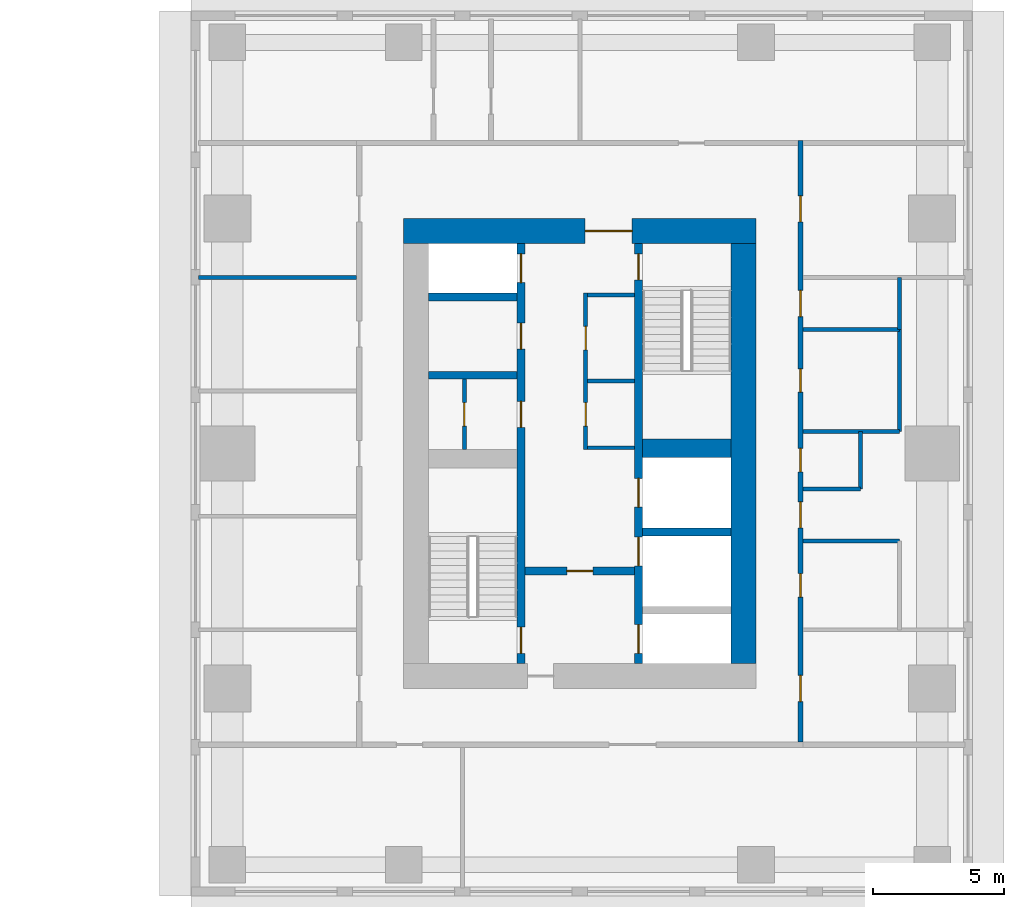
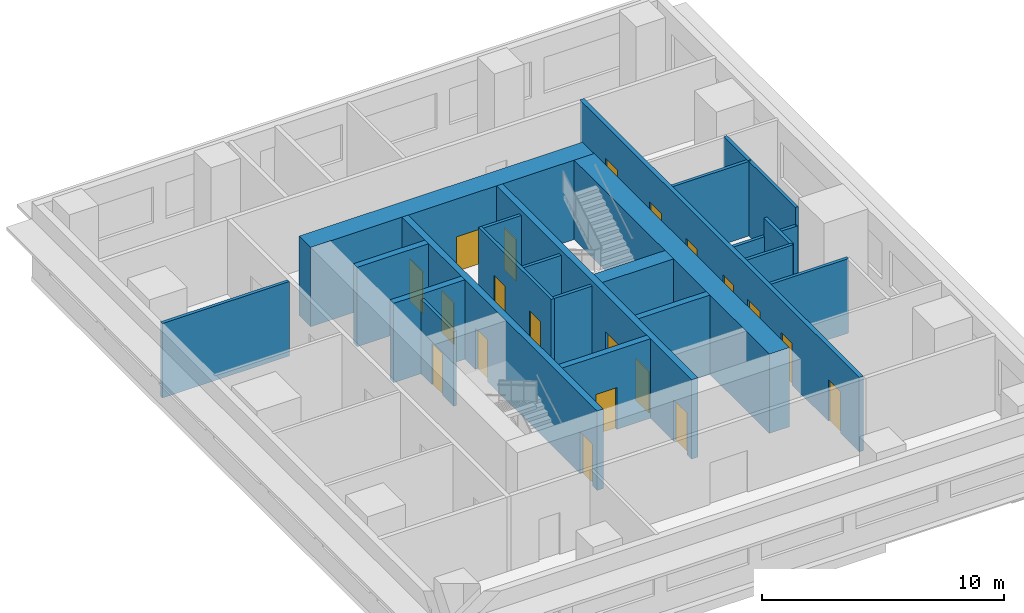
# One storey, part 7 of 11: 23 walls, 20 doors, 20 openings.
"""IFC4 building model written with IfcOpenShell, lengths in metres."""

from ifc_helpers import new_model, si_unit, direction, frame, frame_2d, origin, place, context, subcontext, project, spatial, rectangle, extrude, material, layer, layer_set, type_object, element, fill, save


model = new_model("IFC4")

# Units and contexts
model_context = context("Model", 3, precision=1e-05, world=origin(), true_north=direction((0.0, 1.0)))
body_context = subcontext(model_context, "Body", "Model", "MODEL_VIEW")
ifc_project = project(units=[si_unit("LENGTHUNIT", "METRE"), si_unit("AREAUNIT", "SQUARE_METRE"), si_unit("VOLUMEUNIT", "CUBIC_METRE"), si_unit("PLANEANGLEUNIT", "RADIAN"), si_unit("MASSUNIT", "GRAM", prefix="KILO")], contexts=[model_context])

# Site, building, storey
site_placement = place(None, origin())
site = spatial("IfcSite", under=ifc_project, at=site_placement, CompositionType="ELEMENT")
building_placement = place(site_placement, origin())
building = spatial("IfcBuilding", under=site, at=building_placement, Name="Namib Vertical Campus", CompositionType="ELEMENT")
storey_placement = place(building_placement, frame((0.0, 0.0, 177.0)))
storey = spatial("IfcBuildingStorey", under=building, at=storey_placement, Name="L41", CompositionType="ELEMENT", Elevation=177.0)

# Wall, openings, doors
ifc_material_1 = material(Name="Concrete C60/75", Category="concrete")
ifc_layer_1 = layer(ifc_material_1, 0.300048828125)
ifc_layer_set_1 = layer_set([ifc_layer_1], Name="Concrete C60/75")
wall_type_1 = type_object("IfcWallType", Name="Core inner wall 300", PredefinedType="SHEAR", material=ifc_layer_set_1)
wall_1_placement = place(storey_placement, frame((78.75, 12.199951171875, 0.0), z_axis=(0.0, 0.0, 1.0), x_axis=(0.0, 1.0, 0.0)))
wall_1 = element("IfcWall", 1, at=wall_1_placement, inside=storey, type_object=wall_type_1, Name="Core inner wall B L41 W1", PredefinedType="SHEAR", context=body_context, shape_type="SweptSolid", body=[
    extrude(rectangle(XDim=16.10009765625, YDim=0.300048828125, at=frame_2d((8.050048828125, 0.0))), origin(), (0.0, 0.0, 1.0), 4.0),
])
opening_1_placement = place(wall_1_placement, frame((0.39990234375, 0.0, 0.0)))
opening_1 = element("IfcOpeningElement", 2, at=opening_1_placement, cuts=wall_1, Name="Opening FD1", PredefinedType="OPENING", context=body_context, shape_type="SweptSolid", body=[
    extrude(rectangle(XDim=1.0, YDim=2.10009765625, at=frame_2d((0.5, 1.050048828125))), frame((0.0, 0.159912109375, 0.0), z_axis=(0.0, -1.0, 0.0), x_axis=(1.0, 0.0, 0.0)), (0.0, 0.0, 1.0), 0.320068359375),
])
opening_2_placement = place(wall_1_placement, frame((14.60009765625, 0.0, 0.0)))
opening_2 = element("IfcOpeningElement", 3, at=opening_2_placement, cuts=wall_1, Name="Opening LD1", PredefinedType="OPENING", context=body_context, shape_type="SweptSolid", body=[
    extrude(rectangle(XDim=1.10009765625, YDim=2.10009765625, at=frame_2d((0.550048828125, 1.050048828125))), frame((0.0, 0.159912109375, 0.0), z_axis=(0.0, -1.0, 0.0), x_axis=(1.0, 0.0, 0.0)), (0.0, 0.0, 1.0), 0.320068359375),
])
opening_3_placement = place(wall_1_placement, frame((9.050048828125, 0.0, 0.0)))
opening_3 = element("IfcOpeningElement", 4, at=opening_3_placement, cuts=wall_1, Name="Opening D1", PredefinedType="OPENING", context=body_context, shape_type="SweptSolid", body=[
    extrude(rectangle(XDim=1.0, YDim=2.10009765625, at=frame_2d((0.5, 1.050048828125))), frame((0.0, 0.159912109375, 0.0), z_axis=(0.0, -1.0, 0.0), x_axis=(1.0, 0.0, 0.0)), (0.0, 0.0, 1.0), 0.320068359375),
])
opening_4_placement = place(wall_1_placement, frame((12.050048828125, 0.0, 0.0)))
opening_4 = element("IfcOpeningElement", 5, at=opening_4_placement, cuts=wall_1, Name="Opening D1", PredefinedType="OPENING", context=body_context, shape_type="SweptSolid", body=[
    extrude(rectangle(XDim=1.0, YDim=2.10009765625, at=frame_2d((0.5, 1.050048828125))), frame((0.0, 0.159912109375, 0.0), z_axis=(0.0, -1.0, 0.0), x_axis=(1.0, 0.0, 0.0)), (0.0, 0.0, 1.0), 0.320068359375),
])
ifc_material_2 = material(Name="Timber door leaf", Category="wood")
door_type_1 = type_object("IfcDoorType", Name="Door single 1000x2100", OperationType="SINGLE_SWING_LEFT", PredefinedType="DOOR", material=ifc_material_2)
door_1_placement = place(opening_3_placement, origin())
door_1 = element("IfcDoor", 6, at=door_1_placement, inside=storey, type_object=door_type_1, Name="Door D1 Store B L41 P1", OperationType="SINGLE_SWING_LEFT", OverallHeight=2.10009765625, OverallWidth=1.0, PredefinedType="DOOR", context=body_context, shape_type="SweptSolid", body=[
    extrude(rectangle(XDim=1.0, YDim=2.10009765625, at=frame_2d((0.5, 1.050048828125))), frame((0.0, 0.02490234375, 0.0), z_axis=(0.0, -1.0, 0.0), x_axis=(1.0, 0.0, 0.0)), (0.0, 0.0, 1.0), 0.050048828125),
])
fill(opening_3, door_1)
door_2_placement = place(opening_4_placement, origin())
door_2 = element("IfcDoor", 7, at=door_2_placement, inside=storey, type_object=door_type_1, Name="Door D1 Cleaners' store B L41 P2", OperationType="SINGLE_SWING_LEFT", OverallHeight=2.10009765625, OverallWidth=1.0, PredefinedType="DOOR", context=body_context, shape_type="SweptSolid", body=[
    extrude(rectangle(XDim=1.0, YDim=2.10009765625, at=frame_2d((0.5, 1.050048828125))), frame((0.0, 0.02490234375, 0.0), z_axis=(0.0, -1.0, 0.0), x_axis=(1.0, 0.0, 0.0)), (0.0, 0.0, 1.0), 0.050048828125),
])
fill(opening_4, door_2)
ifc_material_3 = material(Name="Steel fire door", Category="steel")
door_type_2 = type_object("IfcDoorType", Name="Fire door 1000x2100", OperationType="SINGLE_SWING_RIGHT", PredefinedType="DOOR", material=ifc_material_3)
door_3_placement = place(opening_1_placement, origin())
door_3 = element("IfcDoor", 8, at=door_3_placement, inside=storey, type_object=door_type_2, Name="Stair door FD1 B L41 S1", OperationType="SINGLE_SWING_LEFT", OverallHeight=2.10009765625, OverallWidth=1.0, PredefinedType="DOOR", context=body_context, shape_type="SweptSolid", body=[
    extrude(rectangle(XDim=1.0, YDim=2.10009765625, at=frame_2d((0.5, 1.050048828125))), frame((0.0, 0.02490234375, 0.0), z_axis=(0.0, -1.0, 0.0), x_axis=(1.0, 0.0, 0.0)), (0.0, 0.0, 1.0), 0.050048828125),
])
fill(opening_1, door_3)
ifc_material_4 = material(Name="Stainless steel lift door", Category="steel")
door_type_3 = type_object("IfcDoorType", Name="Lift landing door 1100x2100", OperationType="DOUBLE_DOOR_SLIDING", PredefinedType="DOOR", material=ifc_material_4)
door_4_placement = place(opening_2_placement, origin())
door_4 = element("IfcDoor", 9, at=door_4_placement, inside=storey, type_object=door_type_3, Name="Lift landing door LD1 B-P3 L41", OperationType="DOUBLE_DOOR_SLIDING", OverallHeight=2.10009765625, OverallWidth=1.10009765625, PredefinedType="DOOR", context=body_context, shape_type="SweptSolid", body=[
    extrude(rectangle(XDim=1.10009765625, YDim=2.10009765625, at=frame_2d((0.550048828125, 1.050048828125))), frame((0.0, 0.02490234375, 0.0), z_axis=(0.0, -1.0, 0.0), x_axis=(1.0, 0.0, 0.0)), (0.0, 0.0, 1.0), 0.050048828125),
])
fill(opening_2, door_4)

wall_2_placement = place(storey_placement, frame((83.25, 12.199951171875, 0.0), z_axis=(0.0, 0.0, 1.0), x_axis=(0.0, 1.0, 0.0)))
wall_2 = element("IfcWall", 10, at=wall_2_placement, inside=storey, type_object=wall_type_1, Name="Core inner wall B L41 W2", PredefinedType="SHEAR", context=body_context, shape_type="SweptSolid", body=[
    extrude(rectangle(XDim=16.10009765625, YDim=0.300048828125, at=frame_2d((8.050048828125, 0.0))), origin(), (0.0, 0.0, 1.0), 4.0),
])
opening_5_placement = place(wall_2_placement, frame((14.699951171875, 0.0, 0.0)))
opening_5 = element("IfcOpeningElement", 11, at=opening_5_placement, cuts=wall_2, Name="Opening FD1", PredefinedType="OPENING", context=body_context, shape_type="SweptSolid", body=[
    extrude(rectangle(XDim=1.0, YDim=2.10009765625, at=frame_2d((0.5, 1.050048828125))), frame((0.0, 0.159912109375, 0.0), z_axis=(0.0, -1.0, 0.0), x_axis=(1.0, 0.0, 0.0)), (0.0, 0.0, 1.0), 0.320068359375),
])
opening_6_placement = place(wall_2_placement, frame((0.39990234375, 0.0, 0.0)))
opening_6 = element("IfcOpeningElement", 12, at=opening_6_placement, cuts=wall_2, Name="Opening LD1", PredefinedType="OPENING", context=body_context, shape_type="SweptSolid", body=[
    extrude(rectangle(XDim=1.10009765625, YDim=2.10009765625, at=frame_2d((0.550048828125, 1.050048828125))), frame((0.0, 0.159912109375, 0.0), z_axis=(0.0, -1.0, 0.0), x_axis=(1.0, 0.0, 0.0)), (0.0, 0.0, 1.0), 0.320068359375),
])
opening_7_placement = place(wall_2_placement, frame((3.75, 0.0, 0.0)))
opening_7 = element("IfcOpeningElement", 13, at=opening_7_placement, cuts=wall_2, Name="Opening LD1", PredefinedType="OPENING", context=body_context, shape_type="SweptSolid", body=[
    extrude(rectangle(XDim=1.10009765625, YDim=2.10009765625, at=frame_2d((0.550048828125, 1.050048828125))), frame((0.0, 0.159912109375, 0.0), z_axis=(0.0, -1.0, 0.0), x_axis=(1.0, 0.0, 0.0)), (0.0, 0.0, 1.0), 0.320068359375),
])
opening_8_placement = place(wall_2_placement, frame((6.0, 0.0, 0.0)))
opening_8 = element("IfcOpeningElement", 14, at=opening_8_placement, cuts=wall_2, Name="Opening LD1", PredefinedType="OPENING", context=body_context, shape_type="SweptSolid", body=[
    extrude(rectangle(XDim=1.10009765625, YDim=2.10009765625, at=frame_2d((0.550048828125, 1.050048828125))), frame((0.0, 0.159912109375, 0.0), z_axis=(0.0, -1.0, 0.0), x_axis=(1.0, 0.0, 0.0)), (0.0, 0.0, 1.0), 0.320068359375),
])
door_5_placement = place(opening_5_placement, frame((1.0, 0.0, 0.0), z_axis=(0.0, 0.0, 1.0), x_axis=(-1.0, 0.0, 0.0)))
door_5 = element("IfcDoor", 15, at=door_5_placement, inside=storey, type_object=door_type_2, Name="Stair door FD1 B L41 S2", OperationType="SINGLE_SWING_LEFT", OverallHeight=2.10009765625, OverallWidth=1.0, PredefinedType="DOOR", context=body_context, shape_type="SweptSolid", body=[
    extrude(rectangle(XDim=1.0, YDim=2.10009765625, at=frame_2d((0.5, 1.050048828125))), frame((0.0, 0.02490234375, 0.0), z_axis=(0.0, -1.0, 0.0), x_axis=(1.0, 0.0, 0.0)), (0.0, 0.0, 1.0), 0.050048828125),
])
fill(opening_5, door_5)
door_6_placement = place(opening_6_placement, origin())
door_6 = element("IfcDoor", 16, at=door_6_placement, inside=storey, type_object=door_type_3, Name="Lift landing door LD1 B-FL1 L41", OperationType="DOUBLE_DOOR_SLIDING", OverallHeight=2.10009765625, OverallWidth=1.10009765625, PredefinedType="DOOR", context=body_context, shape_type="SweptSolid", body=[
    extrude(rectangle(XDim=1.10009765625, YDim=2.10009765625, at=frame_2d((0.550048828125, 1.050048828125))), frame((0.0, 0.02490234375, 0.0), z_axis=(0.0, -1.0, 0.0), x_axis=(1.0, 0.0, 0.0)), (0.0, 0.0, 1.0), 0.050048828125),
])
fill(opening_6, door_6)
door_7_placement = place(opening_7_placement, origin())
door_7 = element("IfcDoor", 17, at=door_7_placement, inside=storey, type_object=door_type_3, Name="Lift landing door LD1 B-P4 L41", OperationType="DOUBLE_DOOR_SLIDING", OverallHeight=2.10009765625, OverallWidth=1.10009765625, PredefinedType="DOOR", context=body_context, shape_type="SweptSolid", body=[
    extrude(rectangle(XDim=1.10009765625, YDim=2.10009765625, at=frame_2d((0.550048828125, 1.050048828125))), frame((0.0, 0.02490234375, 0.0), z_axis=(0.0, -1.0, 0.0), x_axis=(1.0, 0.0, 0.0)), (0.0, 0.0, 1.0), 0.050048828125),
])
fill(opening_7, door_7)
door_8_placement = place(opening_8_placement, origin())
door_8 = element("IfcDoor", 18, at=door_8_placement, inside=storey, type_object=door_type_3, Name="Lift landing door LD1 B-P5 L41", OperationType="DOUBLE_DOOR_SLIDING", OverallHeight=2.10009765625, OverallWidth=1.10009765625, PredefinedType="DOOR", context=body_context, shape_type="SweptSolid", body=[
    extrude(rectangle(XDim=1.10009765625, YDim=2.10009765625, at=frame_2d((0.550048828125, 1.050048828125))), frame((0.0, 0.02490234375, 0.0), z_axis=(0.0, -1.0, 0.0), x_axis=(1.0, 0.0, 0.0)), (0.0, 0.0, 1.0), 0.050048828125),
])
fill(opening_8, door_8)

# Wall, opening, door
wall_3_placement = place(storey_placement, frame((78.89990234375, 15.75, 0.0), z_axis=(0.0, 0.0, 1.0), x_axis=(1.0, 0.0, 0.0)))
wall_3 = element("IfcWall", 19, at=wall_3_placement, inside=storey, type_object=wall_type_1, Name="Core inner wall B L41 W4", PredefinedType="SHEAR", context=body_context, shape_type="SweptSolid", body=[
    extrude(rectangle(XDim=4.2001953125, YDim=0.300048828125, at=frame_2d((2.10009765625, 0.0))), origin(), (0.0, 0.0, 1.0), 4.0),
])
opening_9_placement = place(wall_3_placement, frame((1.60009765625, 0.0, 0.0)))
opening_9 = element("IfcOpeningElement", 20, at=opening_9_placement, cuts=wall_3, Name="Opening FD5", PredefinedType="OPENING", context=body_context, shape_type="SweptSolid", body=[
    extrude(rectangle(XDim=1.0, YDim=2.10009765625, at=frame_2d((0.5, 1.050048828125))), frame((0.0, 0.159912109375, 0.0), z_axis=(0.0, -1.0, 0.0), x_axis=(1.0, 0.0, 0.0)), (0.0, 0.0, 1.0), 0.320068359375),
])
ifc_material_5 = material(Name="Steel fire door", Category="steel")
door_type_4 = type_object("IfcDoorType", Name="Fire door 1000x2100 120 min", OperationType="SINGLE_SWING_RIGHT", PredefinedType="DOOR", material=ifc_material_5)
door_9_placement = place(opening_9_placement, frame((1.0, 0.0, 0.0), z_axis=(0.0, 0.0, 1.0), x_axis=(-1.0, 0.0, 0.0)))
door_9 = element("IfcDoor", 21, at=door_9_placement, inside=storey, type_object=door_type_4, Name="Lobby door FD5 B L41", OperationType="SINGLE_SWING_RIGHT", OverallHeight=2.10009765625, OverallWidth=1.0, PredefinedType="DOOR", context=body_context, shape_type="SweptSolid", body=[
    extrude(rectangle(XDim=1.0, YDim=2.10009765625, at=frame_2d((0.5, 1.050048828125))), frame((0.0, 0.02490234375, 0.0), z_axis=(0.0, -1.0, 0.0), x_axis=(1.0, 0.0, 0.0)), (0.0, 0.0, 1.0), 0.050048828125),
])
fill(opening_9, door_9)

# Walls
for number, where, z_axis, x_axis, name in (
    (22, (83.39990234375, 17.25, 0.0), (0.0, 0.0, 1.0), (1.0, 0.0, 0.0), "Core inner wall B L41 W6"),
    (23, (75.199951171875, 23.25, 0.0), (0.0, 0.0, 1.0), (1.0, 0.0, 0.0), "Core inner wall B L41 W8"),
    (24, (75.199951171875, 26.25, 0.0), (0.0, 0.0, 1.0), (1.0, 0.0, 0.0), "Core inner wall B L41 W9"),
):
    element("IfcWall", number, at=place(storey_placement, frame(where, z_axis=z_axis, x_axis=x_axis)), inside=storey, type_object=wall_type_1, Name=name, PredefinedType="SHEAR", context=body_context, shape_type="SweptSolid", body=[
        extrude(rectangle(XDim=3.400146484375, YDim=0.300048828125, at=frame_2d((1.7001953125, 0.0))), origin(), (0.0, 0.0, 1.0), 4.0),
    ])
ifc_material_6 = material(Name="Concrete C60/75", Category="concrete")
ifc_layer_2 = layer(ifc_material_6, 0.699951171875)
ifc_layer_set_2 = layer_set([ifc_layer_2], Name="Concrete C60/75")
wall_type_2 = type_object("IfcWallType", Name="Core shear wall 700", PredefinedType="SHEAR", material=ifc_layer_set_2)
wall_4_placement = place(storey_placement, frame((83.39990234375, 20.449951171875, 0.0), z_axis=(0.0, 0.0, 1.0), x_axis=(1.0, 0.0, 0.0)))
element("IfcWall", 25, at=wall_4_placement, inside=storey, type_object=wall_type_2, Name="Core shear wall B L41 W7", PredefinedType="SHEAR", context=body_context, shape_type="SweptSolid", body=[
    extrude(rectangle(XDim=3.400146484375, YDim=0.699951171875, at=frame_2d((1.7001953125, 0.0))), origin(), (0.0, 0.0, 1.0), 4.0),
])
ifc_material_7 = material(Name="Concrete C60/75", Category="concrete")
ifc_layer_3 = layer(ifc_material_7, 0.949951171875)
ifc_layer_set_3 = layer_set([ifc_layer_3], Name="Concrete C60/75")
wall_type_3 = type_object("IfcWallType", Name="Core wall 950", PredefinedType="SHEAR", material=ifc_layer_set_3)
wall_5_placement = place(storey_placement, frame((87.27490234375, 12.199951171875, 0.0), z_axis=(0.0, 0.0, 1.0), x_axis=(0.0, 1.0, 0.0)))
element("IfcWall", 26, at=wall_5_placement, inside=storey, type_object=wall_type_3, Name="Core wall B L41 2", PredefinedType="SHEAR", context=body_context, shape_type="SweptSolid", body=[
    extrude(rectangle(XDim=16.10009765625, YDim=0.949951171875, at=frame_2d((8.050048828125, 0.0))), origin(), (0.0, 0.0, 1.0), 4.0),
])

# Wall, opening, door
wall_6_placement = place(storey_placement, frame((87.75, 28.77490234375, 0.0), z_axis=(0.0, 0.0, 1.0), x_axis=(-1.0, 0.0, 0.0)))
wall_6 = element("IfcWall", 27, at=wall_6_placement, inside=storey, type_object=wall_type_3, Name="Core wall B L41 3", PredefinedType="SHEAR", context=body_context, shape_type="SweptSolid", body=[
    extrude(rectangle(XDim=13.5, YDim=0.949951171875, at=frame_2d((6.75, 0.0))), origin(), (0.0, 0.0, 1.0), 4.0),
])
opening_10_placement = place(wall_6_placement, frame((4.75, 0.0, 0.0)))
opening_10 = element("IfcOpeningElement", 28, at=opening_10_placement, cuts=wall_6, Name="Opening FD2", PredefinedType="OPENING", context=body_context, shape_type="SweptSolid", body=[
    extrude(rectangle(XDim=1.800048828125, YDim=2.10009765625, at=frame_2d((0.89990234375, 1.050048828125))), frame((0.0, 0.48486328125, 0.0), z_axis=(0.0, -1.0, 0.0), x_axis=(1.0, 0.0, 0.0)), (0.0, 0.0, 1.0), 0.969970703125),
])
ifc_material_8 = material(Name="Steel fire door", Category="steel")
door_type_5 = type_object("IfcDoorType", Name="Fire door double 1800x2100", OperationType="DOUBLE_DOOR_SINGLE_SWING", PredefinedType="DOOR", material=ifc_material_8)
door_10_placement = place(opening_10_placement, origin())
door_10 = element("IfcDoor", 29, at=door_10_placement, inside=storey, type_object=door_type_5, Name="Lift lobby door FD2 B L41", OperationType="DOUBLE_DOOR_SINGLE_SWING", OverallHeight=2.10009765625, OverallWidth=1.800048828125, PredefinedType="DOOR", context=body_context, shape_type="SweptSolid", body=[
    extrude(rectangle(XDim=1.800048828125, YDim=2.10009765625, at=frame_2d((0.89990234375, 1.050048828125))), frame((0.0, 0.02490234375, 0.0), z_axis=(0.0, -1.0, 0.0), x_axis=(1.0, 0.0, 0.0)), (0.0, 0.0, 1.0), 0.050048828125),
])
fill(opening_10, door_10)

# Wall, openings, doors
ifc_material_9 = material(Name="Concrete masonry", Category="masonry")
ifc_layer_4 = layer(ifc_material_9, 0.199951171875)
ifc_layer_set_4 = layer_set([ifc_layer_4], Name="Corridor wall 200")
wall_type_4 = type_object("IfcWallType", Name="Corridor wall 200", PredefinedType="SOLIDWALL", material=ifc_layer_set_4)
wall_7_placement = place(storey_placement, frame((89.449951171875, 9.199951171875, 0.0), z_axis=(0.0, 0.0, 1.0), x_axis=(0.0, 1.0, 0.0)))
wall_7 = element("IfcWall", 30, at=wall_7_placement, inside=storey, type_object=wall_type_4, Name="Corridor wall B L41 CE", PredefinedType="SOLIDWALL", context=body_context, shape_type="SweptSolid", body=[
    extrude(rectangle(XDim=23.050048828125, YDim=0.199951171875, at=frame_2d((11.52490234375, 0.0))), origin(), (0.0, 0.0, 1.0), 3.75),
])
opening_11_placement = place(wall_7_placement, frame((1.550048828125, 0.0, 0.0)))
opening_11 = element("IfcOpeningElement", 31, at=opening_11_placement, cuts=wall_7, Name="Opening CD1", PredefinedType="OPENING", context=body_context, shape_type="SweptSolid", body=[
    extrude(rectangle(XDim=1.0, YDim=2.10009765625, at=frame_2d((0.5, 1.050048828125))), frame((0.0, 0.10986328125, 0.0), z_axis=(0.0, -1.0, 0.0), x_axis=(1.0, 0.0, 0.0)), (0.0, 0.0, 1.0), 0.219970703125),
])
opening_12_placement = place(wall_7_placement, frame((5.550048828125, 0.0, 0.0)))
opening_12 = element("IfcOpeningElement", 32, at=opening_12_placement, cuts=wall_7, Name="Opening CD3", PredefinedType="OPENING", context=body_context, shape_type="SweptSolid", body=[
    extrude(rectangle(XDim=0.89990234375, YDim=2.10009765625, at=frame_2d((0.449951171875, 1.050048828125))), frame((0.0, 0.10986328125, 0.0), z_axis=(0.0, -1.0, 0.0), x_axis=(1.0, 0.0, 0.0)), (0.0, 0.0, 1.0), 0.219970703125),
])
opening_13_placement = place(wall_7_placement, frame((10.35009765625, 0.0, 0.0)))
opening_13 = element("IfcOpeningElement", 33, at=opening_13_placement, cuts=wall_7, Name="Opening CD3", PredefinedType="OPENING", context=body_context, shape_type="SweptSolid", body=[
    extrude(rectangle(XDim=0.89990234375, YDim=2.10009765625, at=frame_2d((0.449951171875, 1.050048828125))), frame((0.0, 0.10986328125, 0.0), z_axis=(0.0, -1.0, 0.0), x_axis=(1.0, 0.0, 0.0)), (0.0, 0.0, 1.0), 0.219970703125),
])
opening_14_placement = place(wall_7_placement, frame((13.39990234375, 0.0, 0.0)))
opening_14 = element("IfcOpeningElement", 34, at=opening_14_placement, cuts=wall_7, Name="Opening CD3", PredefinedType="OPENING", context=body_context, shape_type="SweptSolid", body=[
    extrude(rectangle(XDim=0.89990234375, YDim=2.10009765625, at=frame_2d((0.449951171875, 1.050048828125))), frame((0.0, 0.10986328125, 0.0), z_axis=(0.0, -1.0, 0.0), x_axis=(1.0, 0.0, 0.0)), (0.0, 0.0, 1.0), 0.219970703125),
])
opening_15_placement = place(wall_7_placement, frame((16.300048828125, 0.0, 0.0)))
opening_15 = element("IfcOpeningElement", 35, at=opening_15_placement, cuts=wall_7, Name="Opening CD1", PredefinedType="OPENING", context=body_context, shape_type="SweptSolid", body=[
    extrude(rectangle(XDim=1.0, YDim=2.10009765625, at=frame_2d((0.5, 1.050048828125))), frame((0.0, 0.10986328125, 0.0), z_axis=(0.0, -1.0, 0.0), x_axis=(1.0, 0.0, 0.0)), (0.0, 0.0, 1.0), 0.219970703125),
])
opening_16_placement = place(wall_7_placement, frame((8.199951171875, 0.0, 0.0)))
opening_16 = element("IfcOpeningElement", 36, at=opening_16_placement, cuts=wall_7, Name="Opening CD1", PredefinedType="OPENING", context=body_context, shape_type="SweptSolid", body=[
    extrude(rectangle(XDim=1.0, YDim=2.10009765625, at=frame_2d((0.5, 1.050048828125))), frame((0.0, 0.10986328125, 0.0), z_axis=(0.0, -1.0, 0.0), x_axis=(1.0, 0.0, 0.0)), (0.0, 0.0, 1.0), 0.219970703125),
])
opening_17_placement = place(wall_7_placement, frame((19.925048828125, 0.0, 0.0)))
opening_17 = element("IfcOpeningElement", 37, at=opening_17_placement, cuts=wall_7, Name="Opening CD1", PredefinedType="OPENING", context=body_context, shape_type="SweptSolid", body=[
    extrude(rectangle(XDim=1.0, YDim=2.10009765625, at=frame_2d((0.5, 1.050048828125))), frame((0.0, 0.10986328125, 0.0), z_axis=(0.0, -1.0, 0.0), x_axis=(1.0, 0.0, 0.0)), (0.0, 0.0, 1.0), 0.219970703125),
])
ifc_material_10 = material(Name="Timber fire door leaf", Category="wood")
door_type_6 = type_object("IfcDoorType", Name="Corridor door 1000x2100 20 min", OperationType="SINGLE_SWING_LEFT", PredefinedType="DOOR", material=ifc_material_10)
door_11_placement = place(opening_11_placement, frame((1.0, 0.0, 0.0), z_axis=(0.0, 0.0, 1.0), x_axis=(-1.0, 0.0, 0.0)))
door_11 = element("IfcDoor", 38, at=door_11_placement, inside=storey, type_object=door_type_6, Name="Door CD1 B41-03", OperationType="SINGLE_SWING_RIGHT", OverallHeight=2.10009765625, OverallWidth=1.0, PredefinedType="DOOR", context=body_context, shape_type="SweptSolid", body=[
    extrude(rectangle(XDim=1.0, YDim=2.10009765625, at=frame_2d((0.5, 1.050048828125))), frame((0.0, 0.02490234375, 0.0), z_axis=(0.0, -1.0, 0.0), x_axis=(1.0, 0.0, 0.0)), (0.0, 0.0, 1.0), 0.050048828125),
])
fill(opening_11, door_11)
door_12_placement = place(opening_15_placement, frame((1.0, 0.0, 0.0), z_axis=(0.0, 0.0, 1.0), x_axis=(-1.0, 0.0, 0.0)))
door_12 = element("IfcDoor", 39, at=door_12_placement, inside=storey, type_object=door_type_6, Name="Door CD1 B41-07", OperationType="SINGLE_SWING_RIGHT", OverallHeight=2.10009765625, OverallWidth=1.0, PredefinedType="DOOR", context=body_context, shape_type="SweptSolid", body=[
    extrude(rectangle(XDim=1.0, YDim=2.10009765625, at=frame_2d((0.5, 1.050048828125))), frame((0.0, 0.02490234375, 0.0), z_axis=(0.0, -1.0, 0.0), x_axis=(1.0, 0.0, 0.0)), (0.0, 0.0, 1.0), 0.050048828125),
])
fill(opening_15, door_12)
door_13_placement = place(opening_16_placement, frame((1.0, 0.0, 0.0), z_axis=(0.0, 0.0, 1.0), x_axis=(-1.0, 0.0, 0.0)))
door_13 = element("IfcDoor", 40, at=door_13_placement, inside=storey, type_object=door_type_6, Name="Door CD1 B41-08", OperationType="SINGLE_SWING_RIGHT", OverallHeight=2.10009765625, OverallWidth=1.0, PredefinedType="DOOR", context=body_context, shape_type="SweptSolid", body=[
    extrude(rectangle(XDim=1.0, YDim=2.10009765625, at=frame_2d((0.5, 1.050048828125))), frame((0.0, 0.02490234375, 0.0), z_axis=(0.0, -1.0, 0.0), x_axis=(1.0, 0.0, 0.0)), (0.0, 0.0, 1.0), 0.050048828125),
])
fill(opening_16, door_13)
door_14_placement = place(opening_17_placement, frame((1.0, 0.0, 0.0), z_axis=(0.0, 0.0, 1.0), x_axis=(-1.0, 0.0, 0.0)))
door_14 = element("IfcDoor", 41, at=door_14_placement, inside=storey, type_object=door_type_6, Name="Door CD1 B41-09", OperationType="SINGLE_SWING_RIGHT", OverallHeight=2.10009765625, OverallWidth=1.0, PredefinedType="DOOR", context=body_context, shape_type="SweptSolid", body=[
    extrude(rectangle(XDim=1.0, YDim=2.10009765625, at=frame_2d((0.5, 1.050048828125))), frame((0.0, 0.02490234375, 0.0), z_axis=(0.0, -1.0, 0.0), x_axis=(1.0, 0.0, 0.0)), (0.0, 0.0, 1.0), 0.050048828125),
])
fill(opening_17, door_14)
ifc_material_11 = material(Name="Timber fire door leaf", Category="wood")
door_type_7 = type_object("IfcDoorType", Name="Corridor toilet door 900x2100 20 min", OperationType="SINGLE_SWING_LEFT", PredefinedType="DOOR", material=ifc_material_11)
door_15_placement = place(opening_12_placement, frame((0.89990234375, 0.0, 0.0), z_axis=(0.0, 0.0, 1.0), x_axis=(-1.0, 0.0, 0.0)))
door_15 = element("IfcDoor", 42, at=door_15_placement, inside=storey, type_object=door_type_7, Name="Door CD3 B41-04", OperationType="SINGLE_SWING_RIGHT", OverallHeight=2.10009765625, OverallWidth=0.89990234375, PredefinedType="DOOR", context=body_context, shape_type="SweptSolid", body=[
    extrude(rectangle(XDim=0.89990234375, YDim=2.10009765625, at=frame_2d((0.449951171875, 1.050048828125))), frame((0.0, 0.02490234375, 0.0), z_axis=(0.0, -1.0, 0.0), x_axis=(1.0, 0.0, 0.0)), (0.0, 0.0, 1.0), 0.050048828125),
])
fill(opening_12, door_15)
door_16_placement = place(opening_13_placement, frame((0.89990234375, 0.0, 0.0), z_axis=(0.0, 0.0, 1.0), x_axis=(-1.0, 0.0, 0.0)))
door_16 = element("IfcDoor", 43, at=door_16_placement, inside=storey, type_object=door_type_7, Name="Door CD3 B41-05", OperationType="SINGLE_SWING_RIGHT", OverallHeight=2.10009765625, OverallWidth=0.89990234375, PredefinedType="DOOR", context=body_context, shape_type="SweptSolid", body=[
    extrude(rectangle(XDim=0.89990234375, YDim=2.10009765625, at=frame_2d((0.449951171875, 1.050048828125))), frame((0.0, 0.02490234375, 0.0), z_axis=(0.0, -1.0, 0.0), x_axis=(1.0, 0.0, 0.0)), (0.0, 0.0, 1.0), 0.050048828125),
])
fill(opening_13, door_16)
door_17_placement = place(opening_14_placement, frame((0.89990234375, 0.0, 0.0), z_axis=(0.0, 0.0, 1.0), x_axis=(-1.0, 0.0, 0.0)))
door_17 = element("IfcDoor", 44, at=door_17_placement, inside=storey, type_object=door_type_7, Name="Door CD3 B41-06", OperationType="SINGLE_SWING_RIGHT", OverallHeight=2.10009765625, OverallWidth=0.89990234375, PredefinedType="DOOR", context=body_context, shape_type="SweptSolid", body=[
    extrude(rectangle(XDim=0.89990234375, YDim=2.10009765625, at=frame_2d((0.449951171875, 1.050048828125))), frame((0.0, 0.02490234375, 0.0), z_axis=(0.0, -1.0, 0.0), x_axis=(1.0, 0.0, 0.0)), (0.0, 0.0, 1.0), 0.050048828125),
])
fill(opening_14, door_17)

ifc_material_12 = material(Name="Gypsum board on steel studs", Category="steel")
ifc_layer_5 = layer(ifc_material_12, 0.14990234375)
ifc_layer_set_5 = layer_set([ifc_layer_5], Name="Gypsum board on steel studs")
wall_type_5 = type_object("IfcWallType", Name="Partition 150", PredefinedType="PARTITIONING", material=ifc_layer_set_5)
wall_8_placement = place(storey_placement, frame((81.22509765625, 20.39990234375, 0.0), z_axis=(0.0, 0.0, 1.0), x_axis=(0.0, 1.0, 0.0)))
wall_8 = element("IfcWall", 45, at=wall_8_placement, inside=storey, type_object=wall_type_5, Name="Partition B L41 Comms room and Store front", PredefinedType="PARTITIONING", context=body_context, shape_type="SweptSolid", body=[
    extrude(rectangle(XDim=6.0, YDim=0.14990234375, at=frame_2d((3.0, 0.0))), origin(), (0.0, 0.0, 1.0), 3.75),
])
opening_18_placement = place(wall_8_placement, frame((0.89990234375, 0.0, 0.0)))
opening_18 = element("IfcOpeningElement", 46, at=opening_18_placement, cuts=wall_8, Name="Opening D3", PredefinedType="OPENING", context=body_context, shape_type="SweptSolid", body=[
    extrude(rectangle(XDim=0.89990234375, YDim=2.10009765625, at=frame_2d((0.449951171875, 1.050048828125))), frame((0.0, 0.0849609375, 0.0), z_axis=(0.0, -1.0, 0.0), x_axis=(1.0, 0.0, 0.0)), (0.0, 0.0, 1.0), 0.169921875),
])
opening_19_placement = place(wall_8_placement, frame((3.824951171875, 0.0, 0.0)))
opening_19 = element("IfcOpeningElement", 47, at=opening_19_placement, cuts=wall_8, Name="Opening D3", PredefinedType="OPENING", context=body_context, shape_type="SweptSolid", body=[
    extrude(rectangle(XDim=0.89990234375, YDim=2.10009765625, at=frame_2d((0.449951171875, 1.050048828125))), frame((0.0, 0.0849609375, 0.0), z_axis=(0.0, -1.0, 0.0), x_axis=(1.0, 0.0, 0.0)), (0.0, 0.0, 1.0), 0.169921875),
])
ifc_material_13 = material(Name="Timber door leaf", Category="wood")
door_type_8 = type_object("IfcDoorType", Name="Toilet door 900x2100", OperationType="SINGLE_SWING_LEFT", PredefinedType="DOOR", material=ifc_material_13)
door_18_placement = place(opening_18_placement, frame((0.89990234375, 0.0, 0.0), z_axis=(0.0, 0.0, 1.0), x_axis=(-1.0, 0.0, 0.0)))
door_18 = element("IfcDoor", 48, at=door_18_placement, inside=storey, type_object=door_type_8, Name="Door D3 Comms room B L41", OperationType="SINGLE_SWING_RIGHT", OverallHeight=2.10009765625, OverallWidth=0.89990234375, PredefinedType="DOOR", context=body_context, shape_type="SweptSolid", body=[
    extrude(rectangle(XDim=0.89990234375, YDim=2.10009765625, at=frame_2d((0.449951171875, 1.050048828125))), frame((0.0, 0.02490234375, 0.0), z_axis=(0.0, -1.0, 0.0), x_axis=(1.0, 0.0, 0.0)), (0.0, 0.0, 1.0), 0.050048828125),
])
fill(opening_18, door_18)
door_19_placement = place(opening_19_placement, frame((0.89990234375, 0.0, 0.0), z_axis=(0.0, 0.0, 1.0), x_axis=(-1.0, 0.0, 0.0)))
door_19 = element("IfcDoor", 49, at=door_19_placement, inside=storey, type_object=door_type_8, Name="Door D3 Store B L41", OperationType="SINGLE_SWING_RIGHT", OverallHeight=2.10009765625, OverallWidth=0.89990234375, PredefinedType="DOOR", context=body_context, shape_type="SweptSolid", body=[
    extrude(rectangle(XDim=0.89990234375, YDim=2.10009765625, at=frame_2d((0.449951171875, 1.050048828125))), frame((0.0, 0.02490234375, 0.0), z_axis=(0.0, -1.0, 0.0), x_axis=(1.0, 0.0, 0.0)), (0.0, 0.0, 1.0), 0.050048828125),
])
fill(opening_19, door_19)

# Walls
for number, where, z_axis, x_axis, name in (
    (50, (81.300048828125, 20.47509765625, 0.0), (0.0, 0.0, 1.0), (1.0, 0.0, 0.0), "Partition B L41 Comms room and Store end 1"),
    (51, (81.300048828125, 23.02490234375, 0.0), (0.0, 0.0, 1.0), (1.0, 0.0, 0.0), "Partition B L41 Comms room and Store division 2"),
    (52, (81.300048828125, 26.324951171875, 0.0), (0.0, 0.0, 1.0), (1.0, 0.0, 0.0), "Partition B L41 Comms room and Store end 3"),
):
    element("IfcWall", number, at=place(storey_placement, frame(where, z_axis=z_axis, x_axis=x_axis)), inside=storey, type_object=wall_type_5, Name=name, PredefinedType="PARTITIONING", context=body_context, shape_type="SweptSolid", body=[
        extrude(rectangle(XDim=1.800048828125, YDim=0.14990234375, at=frame_2d((0.89990234375, 0.0))), origin(), (0.0, 0.0, 1.0), 3.75),
    ])

# Wall, opening, door
wall_9_placement = place(storey_placement, frame((76.574951171875, 20.39990234375, 0.0), z_axis=(0.0, 0.0, 1.0), x_axis=(0.0, 1.0, 0.0)))
wall_9 = element("IfcWall", 53, at=wall_9_placement, inside=storey, type_object=wall_type_5, Name="Partition B L41 Store P1 back", PredefinedType="PARTITIONING", context=body_context, shape_type="SweptSolid", body=[
    extrude(rectangle(XDim=2.7001953125, YDim=0.14990234375, at=frame_2d((1.35009765625, 0.0))), origin(), (0.0, 0.0, 1.0), 3.75),
])
opening_20_placement = place(wall_9_placement, frame((0.89990234375, 0.0, 0.0)))
opening_20 = element("IfcOpeningElement", 54, at=opening_20_placement, cuts=wall_9, Name="Opening D3", PredefinedType="OPENING", context=body_context, shape_type="SweptSolid", body=[
    extrude(rectangle(XDim=0.89990234375, YDim=2.10009765625, at=frame_2d((0.449951171875, 1.050048828125))), frame((0.0, 0.0849609375, 0.0), z_axis=(0.0, -1.0, 0.0), x_axis=(1.0, 0.0, 0.0)), (0.0, 0.0, 1.0), 0.169921875),
])
door_20_placement = place(opening_20_placement, origin())
door_20 = element("IfcDoor", 55, at=door_20_placement, inside=storey, type_object=door_type_8, Name="Door D3 Store B L41 P1", OperationType="SINGLE_SWING_LEFT", OverallHeight=2.10009765625, OverallWidth=0.89990234375, PredefinedType="DOOR", context=body_context, shape_type="SweptSolid", body=[
    extrude(rectangle(XDim=0.89990234375, YDim=2.10009765625, at=frame_2d((0.449951171875, 1.050048828125))), frame((0.0, 0.02490234375, 0.0), z_axis=(0.0, -1.0, 0.0), x_axis=(1.0, 0.0, 0.0)), (0.0, 0.0, 1.0), 0.050048828125),
])
fill(opening_20, door_20)

# Walls
wall_10_placement = place(storey_placement, frame((66.39990234375, 27.0, 0.0), z_axis=(0.0, 0.0, 1.0), x_axis=(1.0, 0.0, 0.0)))
element("IfcWall", 56, at=wall_10_placement, inside=storey, type_object=wall_type_5, Name="Partition B L41 PW4", PredefinedType="PARTITIONING", context=body_context, shape_type="SweptSolid", body=[
    extrude(rectangle(XDim=6.050048828125, YDim=0.14990234375, at=frame_2d((3.02490234375, 0.0))), origin(), (0.0, 0.0, 1.0), 3.75),
])
wall_11_placement = place(storey_placement, frame((89.550048828125, 16.89990234375, 0.0), z_axis=(0.0, 0.0, 1.0), x_axis=(1.0, 0.0, 0.0)))
element("IfcWall", 57, at=wall_11_placement, inside=storey, type_object=wall_type_5, Name="Partition B L41 WR1", PredefinedType="PARTITIONING", context=body_context, shape_type="SweptSolid", body=[
    extrude(rectangle(XDim=3.699951171875, YDim=0.14990234375, at=frame_2d((1.85009765625, 0.0))), origin(), (0.0, 0.0, 1.0), 3.75),
])
wall_12_placement = place(storey_placement, frame((89.550048828125, 18.89990234375, 0.0), z_axis=(0.0, 0.0, 1.0), x_axis=(1.0, 0.0, 0.0)))
element("IfcWall", 58, at=wall_12_placement, inside=storey, type_object=wall_type_5, Name="Partition B L41 WR2", PredefinedType="PARTITIONING", context=body_context, shape_type="SweptSolid", body=[
    extrude(rectangle(XDim=2.199951171875, YDim=0.14990234375, at=frame_2d((1.10009765625, 0.0))), origin(), (0.0, 0.0, 1.0), 3.75),
])
wall_13_placement = place(storey_placement, frame((89.550048828125, 21.10009765625, 0.0), z_axis=(0.0, 0.0, 1.0), x_axis=(1.0, 0.0, 0.0)))
element("IfcWall", 59, at=wall_13_placement, inside=storey, type_object=wall_type_5, Name="Partition B L41 WR3", PredefinedType="PARTITIONING", context=body_context, shape_type="SweptSolid", body=[
    extrude(rectangle(XDim=3.699951171875, YDim=0.14990234375, at=frame_2d((1.85009765625, 0.0))), origin(), (0.0, 0.0, 1.0), 2.85009765625),
])
wall_14_placement = place(storey_placement, frame((89.550048828125, 25.0, 0.0), z_axis=(0.0, 0.0, 1.0), x_axis=(1.0, 0.0, 0.0)))
element("IfcWall", 60, at=wall_14_placement, inside=storey, type_object=wall_type_5, Name="Partition B L41 WR4", PredefinedType="PARTITIONING", context=body_context, shape_type="SweptSolid", body=[
    extrude(rectangle(XDim=3.699951171875, YDim=0.14990234375, at=frame_2d((1.85009765625, 0.0))), origin(), (0.0, 0.0, 1.0), 3.75),
])
wall_15_placement = place(storey_placement, frame((91.75, 18.89990234375, 0.0), z_axis=(0.0, 0.0, 1.0), x_axis=(0.0, 1.0, 0.0)))
element("IfcWall", 61, at=wall_15_placement, inside=storey, type_object=wall_type_5, Name="Partition B L41 WB2", PredefinedType="PARTITIONING", context=body_context, shape_type="SweptSolid", body=[
    extrude(rectangle(XDim=2.2001953125, YDim=0.14990234375, at=frame_2d((1.10009765625, 0.0))), origin(), (0.0, 0.0, 1.0), 3.75),
])
wall_16_placement = place(storey_placement, frame((93.25, 21.10009765625, 0.0), z_axis=(0.0, 0.0, 1.0), x_axis=(0.0, 1.0, 0.0)))
element("IfcWall", 62, at=wall_16_placement, inside=storey, type_object=wall_type_5, Name="Partition B L41 WB3", PredefinedType="PARTITIONING", context=body_context, shape_type="SweptSolid", body=[
    extrude(rectangle(XDim=3.89990234375, YDim=0.14990234375, at=frame_2d((1.949951171875, 0.0))), origin(), (0.0, 0.0, 1.0), 3.75),
])
wall_17_placement = place(storey_placement, frame((93.25, 25.0, 0.0), z_axis=(0.0, 0.0, 1.0), x_axis=(0.0, 1.0, 0.0)))
element("IfcWall", 63, at=wall_17_placement, inside=storey, type_object=wall_type_5, Name="Partition B L41 WB4", PredefinedType="PARTITIONING", context=body_context, shape_type="SweptSolid", body=[
    extrude(rectangle(XDim=2.0, YDim=0.14990234375, at=frame_2d((1.0, 0.0))), origin(), (0.0, 0.0, 1.0), 3.75),
])

save(model, "model.ifc")
